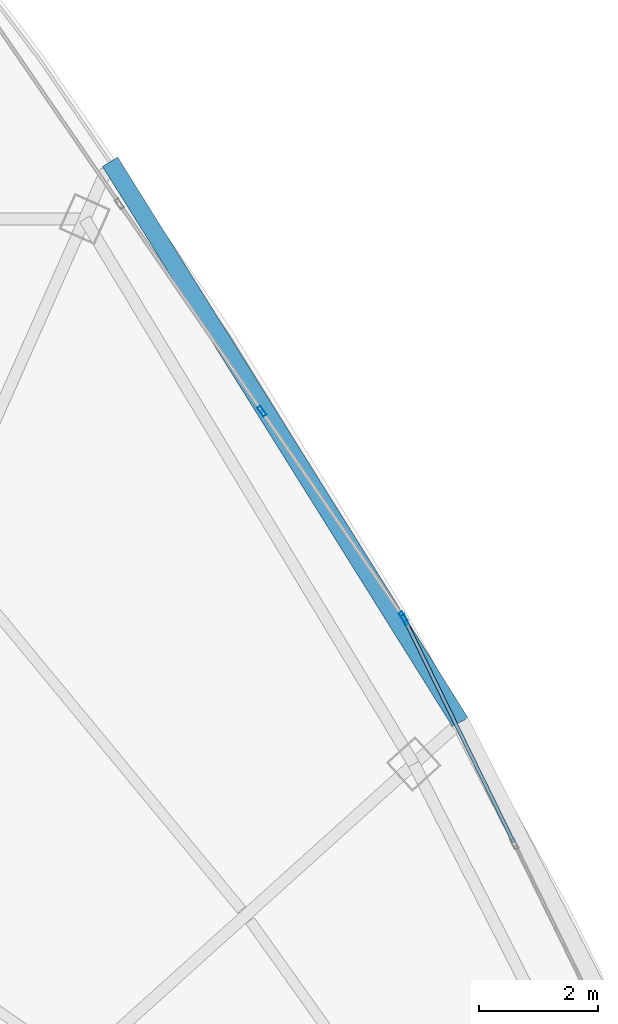
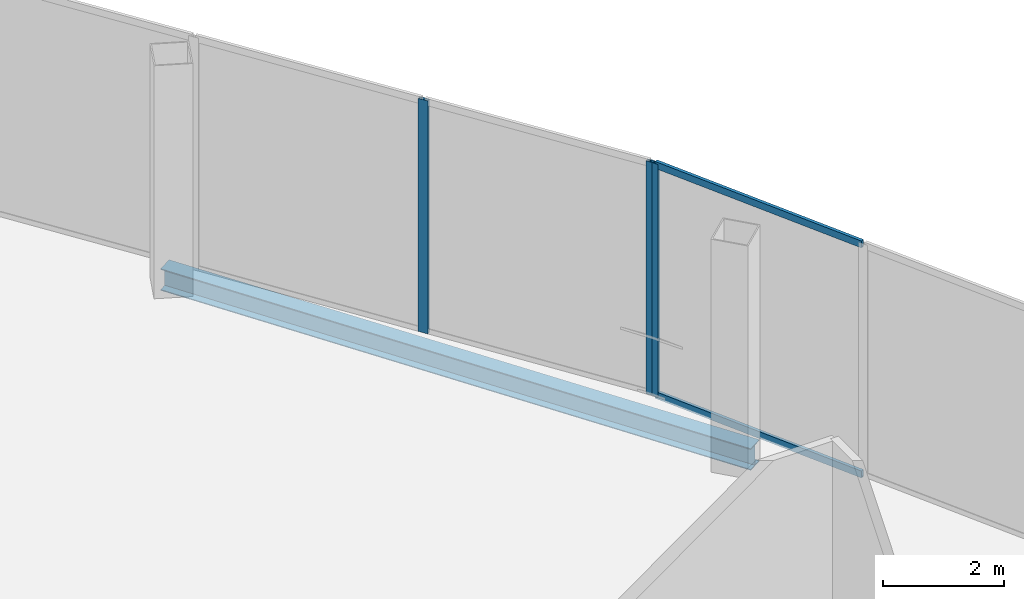
# One storey, part 22 of 33: 5 members, 1 beam, 2 elements without a shape of their own.
"""IFC4 building model written with IfcOpenShell, lengths in metres."""

from ifc_helpers import new_model, si_unit, direction, frame, origin, origin_2d, place, context, subcontext, project, spatial, hollow_rectangle, i_section, extrude, source, transform, mapped, material, layer, layer_set, material_profile, profile_set, type_object, element, aggregate, save


model = new_model("IFC4")

# Units and contexts
model_context = context("Model", 3, precision=1e-05, world=origin(), true_north=direction((0.0, 1.0)))
body_context = subcontext(model_context, "Body", "Model", "MODEL_VIEW")
ifc_project = project(units=[si_unit("LENGTHUNIT", "METRE"), si_unit("AREAUNIT", "SQUARE_METRE"), si_unit("VOLUMEUNIT", "CUBIC_METRE"), si_unit("PLANEANGLEUNIT", "RADIAN"), si_unit("MASSUNIT", "GRAM", prefix="KILO"), si_unit("THERMODYNAMICTEMPERATUREUNIT", "KELVIN"), si_unit("POWERUNIT", "WATT")], contexts=[model_context])

# Site, building, storey
site_placement = place(None, origin())
site = spatial("IfcSite", under=ifc_project, at=site_placement, CompositionType="ELEMENT")
building_placement = place(site_placement, origin())
building = spatial("IfcBuilding", under=site, at=building_placement, Name="Yunzhuo Pagoda Commons", CompositionType="ELEMENT")
storey_placement = place(building_placement, frame((0.0, 0.0, 391.760009765625)))
storey = spatial("IfcBuildingStorey", under=building, at=storey_placement, Name="L97", CompositionType="ELEMENT", Elevation=391.760009765625)

# Beam
ifc_material_1 = material(Name="Structural steel Q355B", Category="steel")
ifc_material_profile_1 = material_profile(ifc_material_1, i_section(OverallWidth=0.300048828125, OverallDepth=0.43994140625, WebThickness=0.010986328125, FlangeThickness=0.01806640625, at=origin_2d()), Name="Structural steel Q355B")
ifc_profile_set_1 = profile_set([ifc_material_profile_1], Name="Structural steel Q355B")
beam_type = type_object("IfcBeamType", Name="B-SP2 Beam HM 440x300x11x18", PredefinedType="BEAM", material=ifc_profile_set_1)
shared_shape_1 = source(origin(), body_context, "Body", "SweptSolid", [
    extrude(i_section(OverallWidth=0.300048828125, OverallDepth=0.43994140625, WebThickness=0.010986328125, FlangeThickness=0.01806640625, at=origin_2d()), origin(), (0.0, 0.0, 1.0), 11.094482421875),
])
beam_placement = place(storey_placement, frame((64.804931640625, 48.831298828125, -0.5), z_axis=(-0.529915860294, 0.848050223164, 0.0), x_axis=(-0.848050223164, -0.529915860294, 0.0)))
element("IfcBeam", 1, at=beam_placement, inside=storey, type_object=beam_type, Name="L97 facade edge spandrel beam F2.3", PredefinedType="BEAM", context=body_context, shape_type="MappedRepresentation", body=[
    mapped(shared_shape_1, transform((0.0, 0.0, 0.0), scale=1.0)),
])

# Curtain wall, member
ifc_material_2 = material(Name="Anodized aluminium 6063-T6", Category="aluminium")
ifc_layer = layer(ifc_material_2, 0.179931640625)
ifc_layer_set = layer_set([ifc_layer], Name="Anodized aluminium 6063-T6")
curtain_wall_type = type_object("IfcCurtainWallType", Name="CW-CRN Crown Gable Glazing System", PredefinedType="NOTDEFINED", material=ifc_layer_set)
curtain_wall_1_placement = place(storey_placement, origin())
curtain_wall_1 = element("IfcCurtainWall", 2, at=curtain_wall_1_placement, inside=storey, type_object=curtain_wall_type, Name="L97 curtain wall CW-L97-CRNF2G1", PredefinedType="NOTDEFINED")
ifc_material_profile_2 = material_profile(ifc_material_2, hollow_rectangle(XDim=0.06494140625, YDim=0.179931640625, WallThickness=0.00390625, at=origin_2d()), Name="Anodized aluminium 6063-T6")
ifc_profile_set_2 = profile_set([ifc_material_profile_2], Name="Anodized aluminium 6063-T6")
member_type_1 = type_object("IfcMemberType", Name="CW-CRN-M Mullion RHS 180x65x4", PredefinedType="MULLION", material=ifc_profile_set_2)
shared_shape_2 = source(origin(), body_context, "Body", "SweptSolid", [
    extrude(hollow_rectangle(XDim=0.06494140625, YDim=0.179931640625, WallThickness=0.00390625, at=origin_2d()), origin(), (0.0, 0.0, 1.0), 4.72021484375),
])
member_1_placement = place(storey_placement, frame((63.873779296875, 50.55322265625, 0.0), z_axis=(0.0, 0.0, 1.0), x_axis=(-0.898299261226, -0.439384156839, 0.0)))
member_1 = element("IfcMember", 3, at=member_1_placement, type_object=member_type_1, Name="CW mullion 5", PredefinedType="MULLION", context=body_context, shape_type="MappedRepresentation", body=[
    mapped(shared_shape_2, transform((0.0, 0.0, 0.0), scale=1.0)),
])

# Curtain wall, members
curtain_wall_2_placement = place(storey_placement, origin())
curtain_wall_2 = element("IfcCurtainWall", 4, at=curtain_wall_2_placement, inside=storey, type_object=curtain_wall_type, Name="L97 curtain wall CW-L97-CRNF2G2", PredefinedType="NOTDEFINED")
member_2_placement = place(storey_placement, frame((63.84716796875, 50.59912109375, 0.0), z_axis=(0.0, 0.0, 1.0), x_axis=(-0.824296116005, -0.566158911561, 0.0)))
member_2 = element("IfcMember", 5, at=member_2_placement, type_object=member_type_1, Name="CW mullion 1", PredefinedType="MULLION", context=body_context, shape_type="MappedRepresentation", body=[
    mapped(shared_shape_2, transform((0.0, 0.0, 0.0), scale=1.0)),
])
member_3_placement = place(storey_placement, frame((61.47509765625, 54.05322265625, 0.0), z_axis=(0.0, 0.0, 1.0), x_axis=(-0.824296116005, -0.566158911561, 0.0)))
member_3 = element("IfcMember", 6, at=member_3_placement, type_object=member_type_1, Name="CW mullion 2", PredefinedType="MULLION", context=body_context, shape_type="MappedRepresentation", body=[
    mapped(shared_shape_2, transform((0.0, 0.0, 0.0), scale=1.0)),
])
aggregate(curtain_wall_2, [member_2, member_3])

# Member
ifc_material_profile_3 = material_profile(ifc_material_2, hollow_rectangle(XDim=0.06005859375, YDim=0.139892578125, WallThickness=0.00341796875, at=origin_2d()), Name="Anodized aluminium 6063-T6")
ifc_profile_set_3 = profile_set([ifc_material_profile_3], Name="Anodized aluminium 6063-T6")
member_type_2 = type_object("IfcMemberType", Name="CW-CRN-T Transom RHS 140x60x3.5", PredefinedType="USERDEFINED", material=ifc_profile_set_3)
shared_shape_3 = source(origin(), body_context, "Body", "SweptSolid", [
    extrude(hollow_rectangle(XDim=0.06005859375, YDim=0.139892578125, WallThickness=0.00341796875, at=origin_2d()), origin(), (0.0, 0.0, 1.0), 4.125244140625),
])
member_4_placement = place(storey_placement, frame((65.70068359375, 46.818359375, 0.030029296875), z_axis=(-0.439360850233, 0.898310660787, 0.0), x_axis=(-0.898310660787, -0.439360850233, 0.0)))
member_4 = element("IfcMember", 7, at=member_4_placement, type_object=member_type_2, Name="CW transom 4.1", ObjectType="TRANSOM", PredefinedType="USERDEFINED", context=body_context, shape_type="MappedRepresentation", body=[
    mapped(shared_shape_3, transform((0.0, 0.0, 0.0), scale=1.0)),
])

member_5_placement = place(storey_placement, frame((65.70068359375, 46.818359375, 4.68994140625), z_axis=(-0.439360850233, 0.898310660787, 0.0), x_axis=(-0.898310660787, -0.439360850233, 0.0)))
member_5 = element("IfcMember", 8, at=member_5_placement, type_object=member_type_2, Name="CW transom 4.2", ObjectType="TRANSOM", PredefinedType="USERDEFINED", context=body_context, shape_type="MappedRepresentation", body=[
    mapped(shared_shape_3, transform((0.0, 0.0, 0.0), scale=1.0)),
])

aggregate(curtain_wall_1, [member_1, member_4, member_5])

save(model, "model.ifc")
